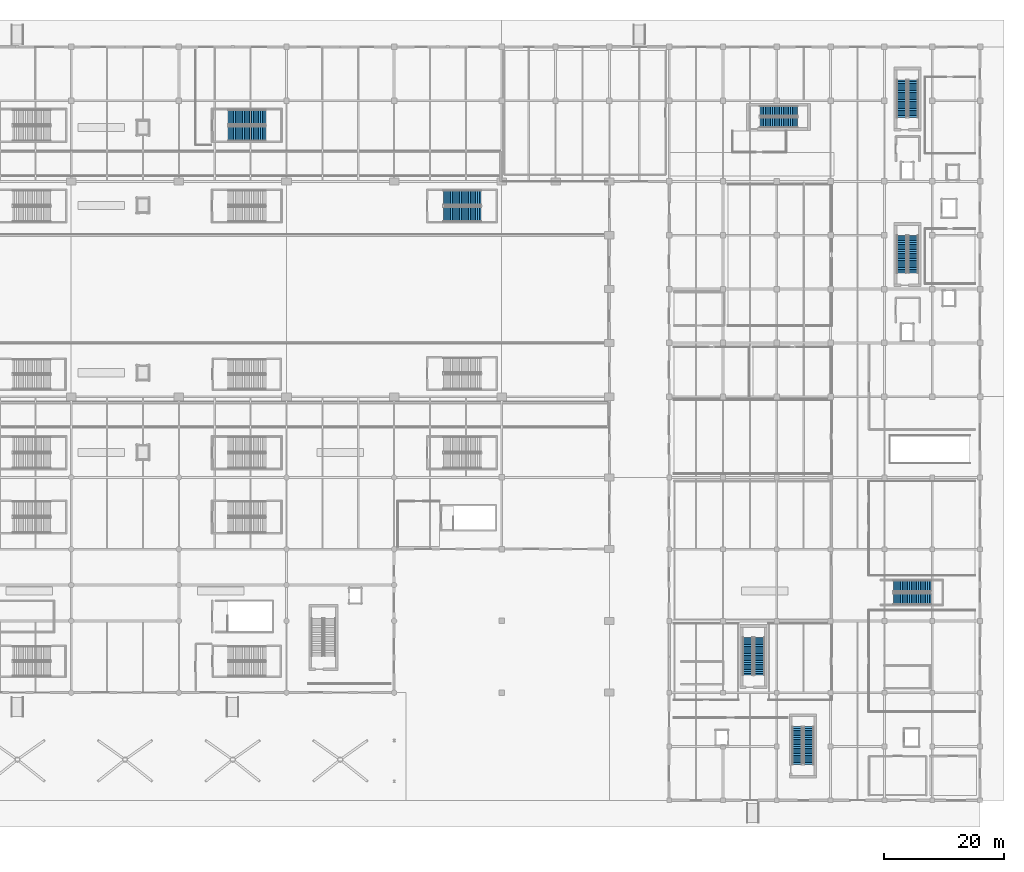
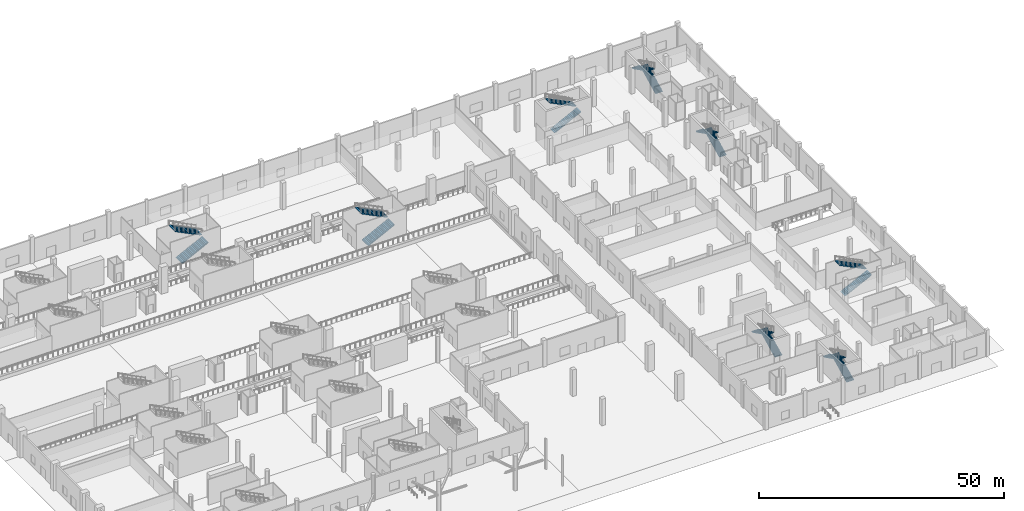
# One storey, part 31 of 65: 16 stair flights, 8 elements without a shape of their own.
"""IFC4 building model written with IfcOpenShell, lengths in metres."""

from ifc_helpers import new_model, si_unit, direction, frame, origin, place, context, subcontext, project, spatial, polyline, outline, extrude, material, type_object, element, aggregate, save


model = new_model("IFC4")

# Units and contexts
model_context = context("Model", 3, precision=1e-05, world=origin(), true_north=direction((0.0, 1.0)))
body_context = subcontext(model_context, "Body", "Model", "MODEL_VIEW")
ifc_project = project(units=[si_unit("LENGTHUNIT", "METRE"), si_unit("AREAUNIT", "SQUARE_METRE"), si_unit("VOLUMEUNIT", "CUBIC_METRE"), si_unit("PLANEANGLEUNIT", "RADIAN"), si_unit("MASSUNIT", "GRAM", prefix="KILO")], contexts=[model_context])

# Site, building, storey
site_placement = place(None, origin())
site = spatial("IfcSite", under=ifc_project, at=site_placement, CompositionType="ELEMENT")
building_placement = place(site_placement, origin())
building = spatial("IfcBuilding", under=site, at=building_placement, Name="Chuanluo Vaults Station", CompositionType="ELEMENT")
storey_placement = place(building_placement, origin())
storey = spatial("IfcBuildingStorey", under=building, at=storey_placement, Name="L00", CompositionType="ELEMENT", Elevation=0.0)

# Stair, stair flights
ifc_material_1 = material(Name="Concrete C40", Category="concrete")
stair_type_1 = type_object("IfcStairType", Name="STR-TWO-1600", PredefinedType="HALF_TURN_STAIR", material=ifc_material_1)
stair_1_placement = place(storey_placement, origin())
stair_1 = element("IfcStair", 1, at=stair_1_placement, inside=storey, type_object=stair_type_1, Name="L00 ST-01", PredefinedType="HALF_TURN_STAIR")
ifc_material_2 = material(Name="Concrete C40", Category="concrete")
stair_flight_type_1 = type_object("IfcStairFlightType", Name="SFL-STR-1600", PredefinedType="STRAIGHT", material=ifc_material_2)
stair_flight_1_placement = place(storey_placement, frame((176.844970703125, 88.1875, 0.0), z_axis=(0.0, 0.0, 1.0), x_axis=(0.0, 1.0, 0.0)))
stair_flight_1 = element("IfcStairFlight", 2, at=stair_flight_1_placement, type_object=stair_flight_type_1, Name="ST-01 flight 1", NumberOfRisers=22, NumberOfTreads=21, PredefinedType="STRAIGHT", RiserHeight=0.15, TreadLength=0.3, context=body_context, shape_type="SweptSolid", body=[
    extrude(outline(polyline([(0.0, 0.0), (0.0, 0.14990234375), (0.300048828125, 0.14990234375), (0.300048828125, 0.300048828125), (0.60009765625, 0.300048828125), (0.60009765625, 0.449951171875), (0.89990234375, 0.449951171875), (0.89990234375, 0.60009765625), (1.199951171875, 0.60009765625), (1.199951171875, 0.75), (1.5, 0.75), (1.5, 0.89990234375), (1.800048828125, 0.89990234375), (1.800048828125, 1.050048828125), (2.10009765625, 1.050048828125), (2.10009765625, 1.199951171875), (2.39990234375, 1.199951171875), (2.39990234375, 1.35009765625), (2.699951171875, 1.35009765625), (2.699951171875, 1.5), (3.0, 1.5), (3.0, 1.64990234375), (3.300048828125, 1.64990234375), (3.300048828125, 1.800048828125), (3.60009765625, 1.800048828125), (3.60009765625, 1.949951171875), (3.89990234375, 1.949951171875), (3.89990234375, 2.10009765625), (4.199951171875, 2.10009765625), (4.199951171875, 2.25), (4.5, 2.25), (4.5, 2.39990234375), (4.800048828125, 2.39990234375), (4.800048828125, 2.550048828125), (5.10009765625, 2.550048828125), (5.10009765625, 2.699951171875), (5.39990234375, 2.699951171875), (5.39990234375, 2.85009765625), (5.699951171875, 2.85009765625), (5.699951171875, 3.0), (6.0, 3.0), (6.0, 3.14990234375), (6.300048828125, 3.14990234375), (6.300048828125, 3.300048828125), (6.300048828125, 2.94873046875), (0.40234375, 0.0), (0.0, 0.0)])), frame((0.0, 0.842529296875, 0.0), z_axis=(0.0, -1.0, 0.0), x_axis=(1.0, 0.0, 0.0)), (0.0, 0.0, 1.0), 1.68505859375),
])
stair_flight_2_placement = place(storey_placement, frame((174.909912109375, 94.487548828125, 3.300048828125), z_axis=(0.0, 0.0, 1.0), x_axis=(0.0, -1.0, 0.0)))
stair_flight_2 = element("IfcStairFlight", 3, at=stair_flight_2_placement, type_object=stair_flight_type_1, Name="ST-01 flight 2", NumberOfRisers=22, NumberOfTreads=21, PredefinedType="STRAIGHT", RiserHeight=0.15, TreadLength=0.3, context=body_context, shape_type="SweptSolid", body=[
    extrude(outline(polyline([(0.0, 0.0), (0.0, 0.14990234375), (0.300048828125, 0.14990234375), (0.300048828125, 0.300048828125), (0.60009765625, 0.300048828125), (0.60009765625, 0.449951171875), (0.89990234375, 0.449951171875), (0.89990234375, 0.60009765625), (1.199951171875, 0.60009765625), (1.199951171875, 0.75), (1.5, 0.75), (1.5, 0.89990234375), (1.800048828125, 0.89990234375), (1.800048828125, 1.050048828125), (2.10009765625, 1.050048828125), (2.10009765625, 1.199951171875), (2.39990234375, 1.199951171875), (2.39990234375, 1.35009765625), (2.699951171875, 1.35009765625), (2.699951171875, 1.5), (3.0, 1.5), (3.0, 1.64990234375), (3.300048828125, 1.64990234375), (3.300048828125, 1.800048828125), (3.60009765625, 1.800048828125), (3.60009765625, 1.949951171875), (3.89990234375, 1.949951171875), (3.89990234375, 2.10009765625), (4.199951171875, 2.10009765625), (4.199951171875, 2.25), (4.5, 2.25), (4.5, 2.39990234375), (4.800048828125, 2.39990234375), (4.800048828125, 2.550048828125), (5.10009765625, 2.550048828125), (5.10009765625, 2.699951171875), (5.39990234375, 2.699951171875), (5.39990234375, 2.85009765625), (5.699951171875, 2.85009765625), (5.699951171875, 3.0), (6.0, 3.0), (6.0, 3.14990234375), (6.300048828125, 3.14990234375), (6.300048828125, 3.300048828125), (6.300048828125, 2.94873046875), (0.40234375, 0.0), (0.0, 0.0)])), frame((0.0, 0.842529296875, 0.0), z_axis=(0.0, -1.0, 0.0), x_axis=(1.0, 0.0, 0.0)), (0.0, 0.0, 1.0), 1.68505859375),
])
aggregate(stair_1, [stair_flight_1, stair_flight_2])

stair_2_placement = place(storey_placement, origin())
stair_2 = element("IfcStair", 4, at=stair_2_placement, inside=storey, type_object=stair_type_1, Name="L00 ST-02", PredefinedType="HALF_TURN_STAIR")
stair_flight_3_placement = place(storey_placement, frame((176.844970703125, 114.1875, 0.0), z_axis=(0.0, 0.0, 1.0), x_axis=(0.0, 1.0, 0.0)))
stair_flight_3 = element("IfcStairFlight", 5, at=stair_flight_3_placement, type_object=stair_flight_type_1, Name="ST-02 flight 1", NumberOfRisers=22, NumberOfTreads=21, PredefinedType="STRAIGHT", RiserHeight=0.15, TreadLength=0.3, context=body_context, shape_type="SweptSolid", body=[
    extrude(outline(polyline([(0.0, 0.0), (0.0, 0.14990234375), (0.300048828125, 0.14990234375), (0.300048828125, 0.300048828125), (0.60009765625, 0.300048828125), (0.60009765625, 0.449951171875), (0.89990234375, 0.449951171875), (0.89990234375, 0.60009765625), (1.199951171875, 0.60009765625), (1.199951171875, 0.75), (1.5, 0.75), (1.5, 0.89990234375), (1.800048828125, 0.89990234375), (1.800048828125, 1.050048828125), (2.10009765625, 1.050048828125), (2.10009765625, 1.199951171875), (2.39990234375, 1.199951171875), (2.39990234375, 1.35009765625), (2.699951171875, 1.35009765625), (2.699951171875, 1.5), (3.0, 1.5), (3.0, 1.64990234375), (3.300048828125, 1.64990234375), (3.300048828125, 1.800048828125), (3.60009765625, 1.800048828125), (3.60009765625, 1.949951171875), (3.89990234375, 1.949951171875), (3.89990234375, 2.10009765625), (4.199951171875, 2.10009765625), (4.199951171875, 2.25), (4.5, 2.25), (4.5, 2.39990234375), (4.800048828125, 2.39990234375), (4.800048828125, 2.550048828125), (5.10009765625, 2.550048828125), (5.10009765625, 2.699951171875), (5.39990234375, 2.699951171875), (5.39990234375, 2.85009765625), (5.699951171875, 2.85009765625), (5.699951171875, 3.0), (6.0, 3.0), (6.0, 3.14990234375), (6.300048828125, 3.14990234375), (6.300048828125, 3.300048828125), (6.300048828125, 2.94873046875), (0.40234375, 0.0), (0.0, 0.0)])), frame((0.0, 0.842529296875, 0.0), z_axis=(0.0, -1.0, 0.0), x_axis=(1.0, 0.0, 0.0)), (0.0, 0.0, 1.0), 1.68505859375),
])
stair_flight_4_placement = place(storey_placement, frame((174.909912109375, 120.487548828125, 3.300048828125), z_axis=(0.0, 0.0, 1.0), x_axis=(0.0, -1.0, 0.0)))
stair_flight_4 = element("IfcStairFlight", 6, at=stair_flight_4_placement, type_object=stair_flight_type_1, Name="ST-02 flight 2", NumberOfRisers=22, NumberOfTreads=21, PredefinedType="STRAIGHT", RiserHeight=0.15, TreadLength=0.3, context=body_context, shape_type="SweptSolid", body=[
    extrude(outline(polyline([(0.0, 0.0), (0.0, 0.14990234375), (0.300048828125, 0.14990234375), (0.300048828125, 0.300048828125), (0.60009765625, 0.300048828125), (0.60009765625, 0.449951171875), (0.89990234375, 0.449951171875), (0.89990234375, 0.60009765625), (1.199951171875, 0.60009765625), (1.199951171875, 0.75), (1.5, 0.75), (1.5, 0.89990234375), (1.800048828125, 0.89990234375), (1.800048828125, 1.050048828125), (2.10009765625, 1.050048828125), (2.10009765625, 1.199951171875), (2.39990234375, 1.199951171875), (2.39990234375, 1.35009765625), (2.699951171875, 1.35009765625), (2.699951171875, 1.5), (3.0, 1.5), (3.0, 1.64990234375), (3.300048828125, 1.64990234375), (3.300048828125, 1.800048828125), (3.60009765625, 1.800048828125), (3.60009765625, 1.949951171875), (3.89990234375, 1.949951171875), (3.89990234375, 2.10009765625), (4.199951171875, 2.10009765625), (4.199951171875, 2.25), (4.5, 2.25), (4.5, 2.39990234375), (4.800048828125, 2.39990234375), (4.800048828125, 2.550048828125), (5.10009765625, 2.550048828125), (5.10009765625, 2.699951171875), (5.39990234375, 2.699951171875), (5.39990234375, 2.85009765625), (5.699951171875, 2.85009765625), (5.699951171875, 3.0), (6.0, 3.0), (6.0, 3.14990234375), (6.300048828125, 3.14990234375), (6.300048828125, 3.300048828125), (6.300048828125, 2.94873046875), (0.40234375, 0.0), (0.0, 0.0)])), frame((0.0, 0.842529296875, 0.0), z_axis=(0.0, -1.0, 0.0), x_axis=(1.0, 0.0, 0.0)), (0.0, 0.0, 1.0), 1.68505859375),
])
aggregate(stair_2, [stair_flight_3, stair_flight_4])

stair_3_placement = place(storey_placement, origin())
stair_3 = element("IfcStair", 7, at=stair_3_placement, inside=storey, type_object=stair_type_1, Name="L00 ST-03", PredefinedType="HALF_TURN_STAIR")
stair_flight_5_placement = place(storey_placement, frame((151.1875, 113.342529296875, 0.0), z_axis=(0.0, 0.0, 1.0), x_axis=(1.0, 0.0, 0.0)))
stair_flight_5 = element("IfcStairFlight", 8, at=stair_flight_5_placement, type_object=stair_flight_type_1, Name="ST-03 flight 1", NumberOfRisers=22, NumberOfTreads=21, PredefinedType="STRAIGHT", RiserHeight=0.15, TreadLength=0.3, context=body_context, shape_type="SweptSolid", body=[
    extrude(outline(polyline([(0.0, 0.0), (0.0, 0.14990234375), (0.300048828125, 0.14990234375), (0.300048828125, 0.300048828125), (0.60009765625, 0.300048828125), (0.60009765625, 0.449951171875), (0.89990234375, 0.449951171875), (0.89990234375, 0.60009765625), (1.199951171875, 0.60009765625), (1.199951171875, 0.75), (1.5, 0.75), (1.5, 0.89990234375), (1.800048828125, 0.89990234375), (1.800048828125, 1.050048828125), (2.10009765625, 1.050048828125), (2.10009765625, 1.199951171875), (2.39990234375, 1.199951171875), (2.39990234375, 1.35009765625), (2.699951171875, 1.35009765625), (2.699951171875, 1.5), (3.0, 1.5), (3.0, 1.64990234375), (3.300048828125, 1.64990234375), (3.300048828125, 1.800048828125), (3.60009765625, 1.800048828125), (3.60009765625, 1.949951171875), (3.89990234375, 1.949951171875), (3.89990234375, 2.10009765625), (4.199951171875, 2.10009765625), (4.199951171875, 2.25), (4.5, 2.25), (4.5, 2.39990234375), (4.800048828125, 2.39990234375), (4.800048828125, 2.550048828125), (5.10009765625, 2.550048828125), (5.10009765625, 2.699951171875), (5.39990234375, 2.699951171875), (5.39990234375, 2.85009765625), (5.699951171875, 2.85009765625), (5.699951171875, 3.0), (6.0, 3.0), (6.0, 3.14990234375), (6.300048828125, 3.14990234375), (6.300048828125, 3.300048828125), (6.300048828125, 2.94873046875), (0.40234375, 0.0), (0.0, 0.0)])), frame((0.0, 0.842529296875, 0.0), z_axis=(0.0, -1.0, 0.0), x_axis=(1.0, 0.0, 0.0)), (0.0, 0.0, 1.0), 1.68505859375),
])
stair_flight_6_placement = place(storey_placement, frame((157.487548828125, 115.277587890625, 3.300048828125), z_axis=(0.0, 0.0, 1.0), x_axis=(-1.0, 0.0, 0.0)))
stair_flight_6 = element("IfcStairFlight", 9, at=stair_flight_6_placement, type_object=stair_flight_type_1, Name="ST-03 flight 2", NumberOfRisers=22, NumberOfTreads=21, PredefinedType="STRAIGHT", RiserHeight=0.15, TreadLength=0.3, context=body_context, shape_type="SweptSolid", body=[
    extrude(outline(polyline([(0.0, 0.0), (0.0, 0.14990234375), (0.300048828125, 0.14990234375), (0.300048828125, 0.300048828125), (0.60009765625, 0.300048828125), (0.60009765625, 0.449951171875), (0.89990234375, 0.449951171875), (0.89990234375, 0.60009765625), (1.199951171875, 0.60009765625), (1.199951171875, 0.75), (1.5, 0.75), (1.5, 0.89990234375), (1.800048828125, 0.89990234375), (1.800048828125, 1.050048828125), (2.10009765625, 1.050048828125), (2.10009765625, 1.199951171875), (2.39990234375, 1.199951171875), (2.39990234375, 1.35009765625), (2.699951171875, 1.35009765625), (2.699951171875, 1.5), (3.0, 1.5), (3.0, 1.64990234375), (3.300048828125, 1.64990234375), (3.300048828125, 1.800048828125), (3.60009765625, 1.800048828125), (3.60009765625, 1.949951171875), (3.89990234375, 1.949951171875), (3.89990234375, 2.10009765625), (4.199951171875, 2.10009765625), (4.199951171875, 2.25), (4.5, 2.25), (4.5, 2.39990234375), (4.800048828125, 2.39990234375), (4.800048828125, 2.550048828125), (5.10009765625, 2.550048828125), (5.10009765625, 2.699951171875), (5.39990234375, 2.699951171875), (5.39990234375, 2.85009765625), (5.699951171875, 2.85009765625), (5.699951171875, 3.0), (6.0, 3.0), (6.0, 3.14990234375), (6.300048828125, 3.14990234375), (6.300048828125, 3.300048828125), (6.300048828125, 2.94873046875), (0.40234375, 0.0), (0.0, 0.0)])), frame((0.0, 0.842529296875, 0.0), z_axis=(0.0, -1.0, 0.0), x_axis=(1.0, 0.0, 0.0)), (0.0, 0.0, 1.0), 1.68505859375),
])
aggregate(stair_3, [stair_flight_5, stair_flight_6])

stair_4_placement = place(storey_placement, origin())
stair_4 = element("IfcStair", 10, at=stair_4_placement, inside=storey, type_object=stair_type_1, Name="L00 ST-04", PredefinedType="HALF_TURN_STAIR")
stair_flight_7_placement = place(storey_placement, frame((151.094970703125, 20.9375, 0.0), z_axis=(0.0, 0.0, 1.0), x_axis=(0.0, 1.0, 0.0)))
stair_flight_7 = element("IfcStairFlight", 11, at=stair_flight_7_placement, type_object=stair_flight_type_1, Name="ST-04 flight 1", NumberOfRisers=22, NumberOfTreads=21, PredefinedType="STRAIGHT", RiserHeight=0.15, TreadLength=0.3, context=body_context, shape_type="SweptSolid", body=[
    extrude(outline(polyline([(0.0, 0.0), (0.0, 0.14990234375), (0.300048828125, 0.14990234375), (0.300048828125, 0.300048828125), (0.60009765625, 0.300048828125), (0.60009765625, 0.449951171875), (0.89990234375, 0.449951171875), (0.89990234375, 0.60009765625), (1.199951171875, 0.60009765625), (1.199951171875, 0.75), (1.5, 0.75), (1.5, 0.89990234375), (1.800048828125, 0.89990234375), (1.800048828125, 1.050048828125), (2.10009765625, 1.050048828125), (2.10009765625, 1.199951171875), (2.39990234375, 1.199951171875), (2.39990234375, 1.35009765625), (2.699951171875, 1.35009765625), (2.699951171875, 1.5), (3.0, 1.5), (3.0, 1.64990234375), (3.300048828125, 1.64990234375), (3.300048828125, 1.800048828125), (3.60009765625, 1.800048828125), (3.60009765625, 1.949951171875), (3.89990234375, 1.949951171875), (3.89990234375, 2.10009765625), (4.199951171875, 2.10009765625), (4.199951171875, 2.25), (4.5, 2.25), (4.5, 2.39990234375), (4.800048828125, 2.39990234375), (4.800048828125, 2.550048828125), (5.10009765625, 2.550048828125), (5.10009765625, 2.699951171875), (5.39990234375, 2.699951171875), (5.39990234375, 2.85009765625), (5.699951171875, 2.85009765625), (5.699951171875, 3.0), (6.0, 3.0), (6.0, 3.14990234375), (6.300048828125, 3.14990234375), (6.300048828125, 3.300048828125), (6.300048828125, 2.94873046875), (0.40234375, 0.0), (0.0, 0.0)])), frame((0.0, 0.842529296875, 0.0), z_axis=(0.0, -1.0, 0.0), x_axis=(1.0, 0.0, 0.0)), (0.0, 0.0, 1.0), 1.68505859375),
])
stair_flight_8_placement = place(storey_placement, frame((149.159912109375, 27.237548828125, 3.300048828125), z_axis=(0.0, 0.0, 1.0), x_axis=(0.0, -1.0, 0.0)))
stair_flight_8 = element("IfcStairFlight", 12, at=stair_flight_8_placement, type_object=stair_flight_type_1, Name="ST-04 flight 2", NumberOfRisers=22, NumberOfTreads=21, PredefinedType="STRAIGHT", RiserHeight=0.15, TreadLength=0.3, context=body_context, shape_type="SweptSolid", body=[
    extrude(outline(polyline([(0.0, 0.0), (0.0, 0.14990234375), (0.300048828125, 0.14990234375), (0.300048828125, 0.300048828125), (0.60009765625, 0.300048828125), (0.60009765625, 0.449951171875), (0.89990234375, 0.449951171875), (0.89990234375, 0.60009765625), (1.199951171875, 0.60009765625), (1.199951171875, 0.75), (1.5, 0.75), (1.5, 0.89990234375), (1.800048828125, 0.89990234375), (1.800048828125, 1.050048828125), (2.10009765625, 1.050048828125), (2.10009765625, 1.199951171875), (2.39990234375, 1.199951171875), (2.39990234375, 1.35009765625), (2.699951171875, 1.35009765625), (2.699951171875, 1.5), (3.0, 1.5), (3.0, 1.64990234375), (3.300048828125, 1.64990234375), (3.300048828125, 1.800048828125), (3.60009765625, 1.800048828125), (3.60009765625, 1.949951171875), (3.89990234375, 1.949951171875), (3.89990234375, 2.10009765625), (4.199951171875, 2.10009765625), (4.199951171875, 2.25), (4.5, 2.25), (4.5, 2.39990234375), (4.800048828125, 2.39990234375), (4.800048828125, 2.550048828125), (5.10009765625, 2.550048828125), (5.10009765625, 2.699951171875), (5.39990234375, 2.699951171875), (5.39990234375, 2.85009765625), (5.699951171875, 2.85009765625), (5.699951171875, 3.0), (6.0, 3.0), (6.0, 3.14990234375), (6.300048828125, 3.14990234375), (6.300048828125, 3.300048828125), (6.300048828125, 2.94873046875), (0.40234375, 0.0), (0.0, 0.0)])), frame((0.0, 0.842529296875, 0.0), z_axis=(0.0, -1.0, 0.0), x_axis=(1.0, 0.0, 0.0)), (0.0, 0.0, 1.0), 1.68505859375),
])
aggregate(stair_4, [stair_flight_7, stair_flight_8])

stair_5_placement = place(storey_placement, origin())
stair_5 = element("IfcStair", 13, at=stair_5_placement, inside=storey, type_object=stair_type_1, Name="L00 ST-05", PredefinedType="HALF_TURN_STAIR")
stair_flight_9_placement = place(storey_placement, frame((159.344970703125, 6.0, 0.0), z_axis=(0.0, 0.0, 1.0), x_axis=(0.0, 1.0, 0.0)))
stair_flight_9 = element("IfcStairFlight", 14, at=stair_flight_9_placement, type_object=stair_flight_type_1, Name="ST-05 flight 1", NumberOfRisers=22, NumberOfTreads=21, PredefinedType="STRAIGHT", RiserHeight=0.15, TreadLength=0.3, context=body_context, shape_type="SweptSolid", body=[
    extrude(outline(polyline([(0.0, 0.0), (0.0, 0.14990234375), (0.300048828125, 0.14990234375), (0.300048828125, 0.300048828125), (0.60009765625, 0.300048828125), (0.60009765625, 0.449951171875), (0.89990234375, 0.449951171875), (0.89990234375, 0.60009765625), (1.199951171875, 0.60009765625), (1.199951171875, 0.75), (1.5, 0.75), (1.5, 0.89990234375), (1.800048828125, 0.89990234375), (1.800048828125, 1.050048828125), (2.10009765625, 1.050048828125), (2.10009765625, 1.199951171875), (2.39990234375, 1.199951171875), (2.39990234375, 1.35009765625), (2.699951171875, 1.35009765625), (2.699951171875, 1.5), (3.0, 1.5), (3.0, 1.64990234375), (3.300048828125, 1.64990234375), (3.300048828125, 1.800048828125), (3.60009765625, 1.800048828125), (3.60009765625, 1.949951171875), (3.89990234375, 1.949951171875), (3.89990234375, 2.10009765625), (4.199951171875, 2.10009765625), (4.199951171875, 2.25), (4.5, 2.25), (4.5, 2.39990234375), (4.800048828125, 2.39990234375), (4.800048828125, 2.550048828125), (5.10009765625, 2.550048828125), (5.10009765625, 2.699951171875), (5.39990234375, 2.699951171875), (5.39990234375, 2.85009765625), (5.699951171875, 2.85009765625), (5.699951171875, 3.0), (6.0, 3.0), (6.0, 3.14990234375), (6.300048828125, 3.14990234375), (6.300048828125, 3.300048828125), (6.300048828125, 2.94873046875), (0.40234375, 0.0), (0.0, 0.0)])), frame((0.0, 0.842529296875, 0.0), z_axis=(0.0, -1.0, 0.0), x_axis=(1.0, 0.0, 0.0)), (0.0, 0.0, 1.0), 1.68505859375),
])
stair_flight_10_placement = place(storey_placement, frame((157.409912109375, 12.300048828125, 3.300048828125), z_axis=(0.0, 0.0, 1.0), x_axis=(0.0, -1.0, 0.0)))
stair_flight_10 = element("IfcStairFlight", 15, at=stair_flight_10_placement, type_object=stair_flight_type_1, Name="ST-05 flight 2", NumberOfRisers=22, NumberOfTreads=21, PredefinedType="STRAIGHT", RiserHeight=0.15, TreadLength=0.3, context=body_context, shape_type="SweptSolid", body=[
    extrude(outline(polyline([(0.0, 0.0), (0.0, 0.14990234375), (0.300048828125, 0.14990234375), (0.300048828125, 0.300048828125), (0.60009765625, 0.300048828125), (0.60009765625, 0.449951171875), (0.89990234375, 0.449951171875), (0.89990234375, 0.60009765625), (1.199951171875, 0.60009765625), (1.199951171875, 0.75), (1.5, 0.75), (1.5, 0.89990234375), (1.800048828125, 0.89990234375), (1.800048828125, 1.050048828125), (2.10009765625, 1.050048828125), (2.10009765625, 1.199951171875), (2.39990234375, 1.199951171875), (2.39990234375, 1.35009765625), (2.699951171875, 1.35009765625), (2.699951171875, 1.5), (3.0, 1.5), (3.0, 1.64990234375), (3.300048828125, 1.64990234375), (3.300048828125, 1.800048828125), (3.60009765625, 1.800048828125), (3.60009765625, 1.949951171875), (3.89990234375, 1.949951171875), (3.89990234375, 2.10009765625), (4.199951171875, 2.10009765625), (4.199951171875, 2.25), (4.5, 2.25), (4.5, 2.39990234375), (4.800048828125, 2.39990234375), (4.800048828125, 2.550048828125), (5.10009765625, 2.550048828125), (5.10009765625, 2.699951171875), (5.39990234375, 2.699951171875), (5.39990234375, 2.85009765625), (5.699951171875, 2.85009765625), (5.699951171875, 3.0), (6.0, 3.0), (6.0, 3.14990234375), (6.300048828125, 3.14990234375), (6.300048828125, 3.300048828125), (6.300048828125, 2.94873046875), (0.40234375, 0.0), (0.0, 0.0)])), frame((0.0, 0.842529296875, 0.0), z_axis=(0.0, -1.0, 0.0), x_axis=(1.0, 0.0, 0.0)), (0.0, 0.0, 1.0), 1.68505859375),
])
aggregate(stair_5, [stair_flight_9, stair_flight_10])

ifc_material_3 = material(Name="Concrete C40", Category="concrete")
stair_type_2 = type_object("IfcStairType", Name="STR-TWO-1800", PredefinedType="HALF_TURN_STAIR", material=ifc_material_3)
stair_6_placement = place(storey_placement, origin())
stair_6 = element("IfcStair", 16, at=stair_6_placement, inside=storey, type_object=stair_type_2, Name="L00 ST-26", PredefinedType="HALF_TURN_STAIR")
ifc_material_4 = material(Name="Concrete C40", Category="concrete")
stair_flight_type_2 = type_object("IfcStairFlightType", Name="SFL-STR-1800", PredefinedType="STRAIGHT", material=ifc_material_4)
stair_flight_11_placement = place(storey_placement, frame((173.5, 33.6875, 0.0), z_axis=(0.0, 0.0, 1.0), x_axis=(1.0, 0.0, 0.0)))
stair_flight_11 = element("IfcStairFlight", 17, at=stair_flight_11_placement, type_object=stair_flight_type_2, Name="ST-26 flight 1", NumberOfRisers=22, NumberOfTreads=21, PredefinedType="STRAIGHT", RiserHeight=0.15, TreadLength=0.3, context=body_context, shape_type="SweptSolid", body=[
    extrude(outline(polyline([(0.0, 0.0), (0.0, 0.14990234375), (0.300048828125, 0.14990234375), (0.300048828125, 0.300048828125), (0.60009765625, 0.300048828125), (0.60009765625, 0.449951171875), (0.89990234375, 0.449951171875), (0.89990234375, 0.60009765625), (1.199951171875, 0.60009765625), (1.199951171875, 0.75), (1.5, 0.75), (1.5, 0.89990234375), (1.800048828125, 0.89990234375), (1.800048828125, 1.050048828125), (2.10009765625, 1.050048828125), (2.10009765625, 1.199951171875), (2.39990234375, 1.199951171875), (2.39990234375, 1.35009765625), (2.699951171875, 1.35009765625), (2.699951171875, 1.5), (3.0, 1.5), (3.0, 1.64990234375), (3.300048828125, 1.64990234375), (3.300048828125, 1.800048828125), (3.60009765625, 1.800048828125), (3.60009765625, 1.949951171875), (3.89990234375, 1.949951171875), (3.89990234375, 2.10009765625), (4.199951171875, 2.10009765625), (4.199951171875, 2.25), (4.5, 2.25), (4.5, 2.39990234375), (4.800048828125, 2.39990234375), (4.800048828125, 2.550048828125), (5.10009765625, 2.550048828125), (5.10009765625, 2.699951171875), (5.39990234375, 2.699951171875), (5.39990234375, 2.85009765625), (5.699951171875, 2.85009765625), (5.699951171875, 3.0), (6.0, 3.0), (6.0, 3.14990234375), (6.300048828125, 3.14990234375), (6.300048828125, 3.300048828125), (6.300048828125, 2.94873046875), (0.40234375, 0.0), (0.0, 0.0)])), frame((0.0, 0.9375, 0.0), z_axis=(0.0, -1.0, 0.0), x_axis=(1.0, 0.0, 0.0)), (0.0, 0.0, 1.0), 1.875),
])
stair_flight_12_placement = place(storey_placement, frame((179.800048828125, 35.8125, 3.300048828125), z_axis=(0.0, 0.0, 1.0), x_axis=(-1.0, 0.0, 0.0)))
stair_flight_12 = element("IfcStairFlight", 18, at=stair_flight_12_placement, type_object=stair_flight_type_2, Name="ST-26 flight 2", NumberOfRisers=22, NumberOfTreads=21, PredefinedType="STRAIGHT", RiserHeight=0.15, TreadLength=0.3, context=body_context, shape_type="SweptSolid", body=[
    extrude(outline(polyline([(0.0, 0.0), (0.0, 0.14990234375), (0.300048828125, 0.14990234375), (0.300048828125, 0.300048828125), (0.60009765625, 0.300048828125), (0.60009765625, 0.449951171875), (0.89990234375, 0.449951171875), (0.89990234375, 0.60009765625), (1.199951171875, 0.60009765625), (1.199951171875, 0.75), (1.5, 0.75), (1.5, 0.89990234375), (1.800048828125, 0.89990234375), (1.800048828125, 1.050048828125), (2.10009765625, 1.050048828125), (2.10009765625, 1.199951171875), (2.39990234375, 1.199951171875), (2.39990234375, 1.35009765625), (2.699951171875, 1.35009765625), (2.699951171875, 1.5), (3.0, 1.5), (3.0, 1.64990234375), (3.300048828125, 1.64990234375), (3.300048828125, 1.800048828125), (3.60009765625, 1.800048828125), (3.60009765625, 1.949951171875), (3.89990234375, 1.949951171875), (3.89990234375, 2.10009765625), (4.199951171875, 2.10009765625), (4.199951171875, 2.25), (4.5, 2.25), (4.5, 2.39990234375), (4.800048828125, 2.39990234375), (4.800048828125, 2.550048828125), (5.10009765625, 2.550048828125), (5.10009765625, 2.699951171875), (5.39990234375, 2.699951171875), (5.39990234375, 2.85009765625), (5.699951171875, 2.85009765625), (5.699951171875, 3.0), (6.0, 3.0), (6.0, 3.14990234375), (6.300048828125, 3.14990234375), (6.300048828125, 3.300048828125), (6.300048828125, 2.94873046875), (0.40234375, 0.0), (0.0, 0.0)])), frame((0.0, 0.9375, 0.0), z_axis=(0.0, -1.0, 0.0), x_axis=(1.0, 0.0, 0.0)), (0.0, 0.0, 1.0), 1.875),
])
aggregate(stair_6, [stair_flight_11, stair_flight_12])

ifc_material_5 = material(Name="Concrete C40", Category="concrete")
stair_type_3 = type_object("IfcStairType", Name="STR-TWO-2500", PredefinedType="HALF_TURN_STAIR", material=ifc_material_5)
stair_7_placement = place(storey_placement, origin())
stair_7 = element("IfcStair", 19, at=stair_7_placement, inside=storey, type_object=stair_type_3, Name="L00 ST-15", PredefinedType="HALF_TURN_STAIR")
ifc_material_6 = material(Name="Concrete C40", Category="concrete")
stair_flight_type_3 = type_object("IfcStairFlightType", Name="SFL-STR-2500", PredefinedType="STRAIGHT", material=ifc_material_6)
stair_flight_13_placement = place(storey_placement, frame((98.25, 98.0, 0.0), z_axis=(0.0, 0.0, 1.0), x_axis=(1.0, 0.0, 0.0)))
stair_flight_13 = element("IfcStairFlight", 20, at=stair_flight_13_placement, type_object=stair_flight_type_3, Name="ST-15 flight 1", NumberOfRisers=22, NumberOfTreads=21, PredefinedType="STRAIGHT", RiserHeight=0.15, TreadLength=0.3, context=body_context, shape_type="SweptSolid", body=[
    extrude(outline(polyline([(0.0, 0.0), (0.0, 0.14990234375), (0.300048828125, 0.14990234375), (0.300048828125, 0.300048828125), (0.60009765625, 0.300048828125), (0.60009765625, 0.449951171875), (0.89990234375, 0.449951171875), (0.89990234375, 0.60009765625), (1.199951171875, 0.60009765625), (1.199951171875, 0.75), (1.5, 0.75), (1.5, 0.89990234375), (1.800048828125, 0.89990234375), (1.800048828125, 1.050048828125), (2.10009765625, 1.050048828125), (2.10009765625, 1.199951171875), (2.39990234375, 1.199951171875), (2.39990234375, 1.35009765625), (2.699951171875, 1.35009765625), (2.699951171875, 1.5), (3.0, 1.5), (3.0, 1.64990234375), (3.300048828125, 1.64990234375), (3.300048828125, 1.800048828125), (3.60009765625, 1.800048828125), (3.60009765625, 1.949951171875), (3.89990234375, 1.949951171875), (3.89990234375, 2.10009765625), (4.199951171875, 2.10009765625), (4.199951171875, 2.25), (4.5, 2.25), (4.5, 2.39990234375), (4.800048828125, 2.39990234375), (4.800048828125, 2.550048828125), (5.10009765625, 2.550048828125), (5.10009765625, 2.699951171875), (5.39990234375, 2.699951171875), (5.39990234375, 2.85009765625), (5.699951171875, 2.85009765625), (5.699951171875, 3.0), (6.0, 3.0), (6.0, 3.14990234375), (6.300048828125, 3.14990234375), (6.300048828125, 3.300048828125), (6.300048828125, 2.94873046875), (0.40234375, 0.0), (0.0, 0.0)])), frame((0.0, 1.25, 0.0), z_axis=(0.0, -1.0, 0.0), x_axis=(1.0, 0.0, 0.0)), (0.0, 0.0, 1.0), 2.5),
])
stair_flight_14_placement = place(storey_placement, frame((104.550048828125, 100.75, 3.300048828125), z_axis=(0.0, 0.0, 1.0), x_axis=(-1.0, 0.0, 0.0)))
stair_flight_14 = element("IfcStairFlight", 21, at=stair_flight_14_placement, type_object=stair_flight_type_3, Name="ST-15 flight 2", NumberOfRisers=22, NumberOfTreads=21, PredefinedType="STRAIGHT", RiserHeight=0.15, TreadLength=0.3, context=body_context, shape_type="SweptSolid", body=[
    extrude(outline(polyline([(0.0, 0.0), (0.0, 0.14990234375), (0.300048828125, 0.14990234375), (0.300048828125, 0.300048828125), (0.60009765625, 0.300048828125), (0.60009765625, 0.449951171875), (0.89990234375, 0.449951171875), (0.89990234375, 0.60009765625), (1.199951171875, 0.60009765625), (1.199951171875, 0.75), (1.5, 0.75), (1.5, 0.89990234375), (1.800048828125, 0.89990234375), (1.800048828125, 1.050048828125), (2.10009765625, 1.050048828125), (2.10009765625, 1.199951171875), (2.39990234375, 1.199951171875), (2.39990234375, 1.35009765625), (2.699951171875, 1.35009765625), (2.699951171875, 1.5), (3.0, 1.5), (3.0, 1.64990234375), (3.300048828125, 1.64990234375), (3.300048828125, 1.800048828125), (3.60009765625, 1.800048828125), (3.60009765625, 1.949951171875), (3.89990234375, 1.949951171875), (3.89990234375, 2.10009765625), (4.199951171875, 2.10009765625), (4.199951171875, 2.25), (4.5, 2.25), (4.5, 2.39990234375), (4.800048828125, 2.39990234375), (4.800048828125, 2.550048828125), (5.10009765625, 2.550048828125), (5.10009765625, 2.699951171875), (5.39990234375, 2.699951171875), (5.39990234375, 2.85009765625), (5.699951171875, 2.85009765625), (5.699951171875, 3.0), (6.0, 3.0), (6.0, 3.14990234375), (6.300048828125, 3.14990234375), (6.300048828125, 3.300048828125), (6.300048828125, 2.94873046875), (0.40234375, 0.0), (0.0, 0.0)])), frame((0.0, 1.25, 0.0), z_axis=(0.0, -1.0, 0.0), x_axis=(1.0, 0.0, 0.0)), (0.0, 0.0, 1.0), 2.5),
])
aggregate(stair_7, [stair_flight_13, stair_flight_14])

stair_8_placement = place(storey_placement, origin())
stair_8 = element("IfcStair", 22, at=stair_8_placement, inside=storey, type_object=stair_type_3, Name="L00 ST-17", PredefinedType="HALF_TURN_STAIR")
stair_flight_15_placement = place(storey_placement, frame((62.25, 111.5, 0.0), z_axis=(0.0, 0.0, 1.0), x_axis=(1.0, 0.0, 0.0)))
stair_flight_15 = element("IfcStairFlight", 23, at=stair_flight_15_placement, type_object=stair_flight_type_3, Name="ST-17 flight 1", NumberOfRisers=22, NumberOfTreads=21, PredefinedType="STRAIGHT", RiserHeight=0.15, TreadLength=0.3, context=body_context, shape_type="SweptSolid", body=[
    extrude(outline(polyline([(0.0, 0.0), (0.0, 0.14990234375), (0.300048828125, 0.14990234375), (0.300048828125, 0.300048828125), (0.60009765625, 0.300048828125), (0.60009765625, 0.449951171875), (0.89990234375, 0.449951171875), (0.89990234375, 0.60009765625), (1.199951171875, 0.60009765625), (1.199951171875, 0.75), (1.5, 0.75), (1.5, 0.89990234375), (1.800048828125, 0.89990234375), (1.800048828125, 1.050048828125), (2.10009765625, 1.050048828125), (2.10009765625, 1.199951171875), (2.39990234375, 1.199951171875), (2.39990234375, 1.35009765625), (2.699951171875, 1.35009765625), (2.699951171875, 1.5), (3.0, 1.5), (3.0, 1.64990234375), (3.300048828125, 1.64990234375), (3.300048828125, 1.800048828125), (3.60009765625, 1.800048828125), (3.60009765625, 1.949951171875), (3.89990234375, 1.949951171875), (3.89990234375, 2.10009765625), (4.199951171875, 2.10009765625), (4.199951171875, 2.25), (4.5, 2.25), (4.5, 2.39990234375), (4.800048828125, 2.39990234375), (4.800048828125, 2.550048828125), (5.10009765625, 2.550048828125), (5.10009765625, 2.699951171875), (5.39990234375, 2.699951171875), (5.39990234375, 2.85009765625), (5.699951171875, 2.85009765625), (5.699951171875, 3.0), (6.0, 3.0), (6.0, 3.14990234375), (6.300048828125, 3.14990234375), (6.300048828125, 3.300048828125), (6.300048828125, 2.94873046875), (0.40234375, 0.0), (0.0, 0.0)])), frame((0.0, 1.25, 0.0), z_axis=(0.0, -1.0, 0.0), x_axis=(1.0, 0.0, 0.0)), (0.0, 0.0, 1.0), 2.5),
])
stair_flight_16_placement = place(storey_placement, frame((68.550048828125, 114.25, 3.300048828125), z_axis=(0.0, 0.0, 1.0), x_axis=(-1.0, 0.0, 0.0)))
stair_flight_16 = element("IfcStairFlight", 24, at=stair_flight_16_placement, type_object=stair_flight_type_3, Name="ST-17 flight 2", NumberOfRisers=22, NumberOfTreads=21, PredefinedType="STRAIGHT", RiserHeight=0.15, TreadLength=0.3, context=body_context, shape_type="SweptSolid", body=[
    extrude(outline(polyline([(0.0, 0.0), (0.0, 0.14990234375), (0.300048828125, 0.14990234375), (0.300048828125, 0.300048828125), (0.60009765625, 0.300048828125), (0.60009765625, 0.449951171875), (0.89990234375, 0.449951171875), (0.89990234375, 0.60009765625), (1.199951171875, 0.60009765625), (1.199951171875, 0.75), (1.5, 0.75), (1.5, 0.89990234375), (1.800048828125, 0.89990234375), (1.800048828125, 1.050048828125), (2.10009765625, 1.050048828125), (2.10009765625, 1.199951171875), (2.39990234375, 1.199951171875), (2.39990234375, 1.35009765625), (2.699951171875, 1.35009765625), (2.699951171875, 1.5), (3.0, 1.5), (3.0, 1.64990234375), (3.300048828125, 1.64990234375), (3.300048828125, 1.800048828125), (3.60009765625, 1.800048828125), (3.60009765625, 1.949951171875), (3.89990234375, 1.949951171875), (3.89990234375, 2.10009765625), (4.199951171875, 2.10009765625), (4.199951171875, 2.25), (4.5, 2.25), (4.5, 2.39990234375), (4.800048828125, 2.39990234375), (4.800048828125, 2.550048828125), (5.10009765625, 2.550048828125), (5.10009765625, 2.699951171875), (5.39990234375, 2.699951171875), (5.39990234375, 2.85009765625), (5.699951171875, 2.85009765625), (5.699951171875, 3.0), (6.0, 3.0), (6.0, 3.14990234375), (6.300048828125, 3.14990234375), (6.300048828125, 3.300048828125), (6.300048828125, 2.94873046875), (0.40234375, 0.0), (0.0, 0.0)])), frame((0.0, 1.25, 0.0), z_axis=(0.0, -1.0, 0.0), x_axis=(1.0, 0.0, 0.0)), (0.0, 0.0, 1.0), 2.5),
])
aggregate(stair_8, [stair_flight_15, stair_flight_16])

save(model, "model.ifc")
